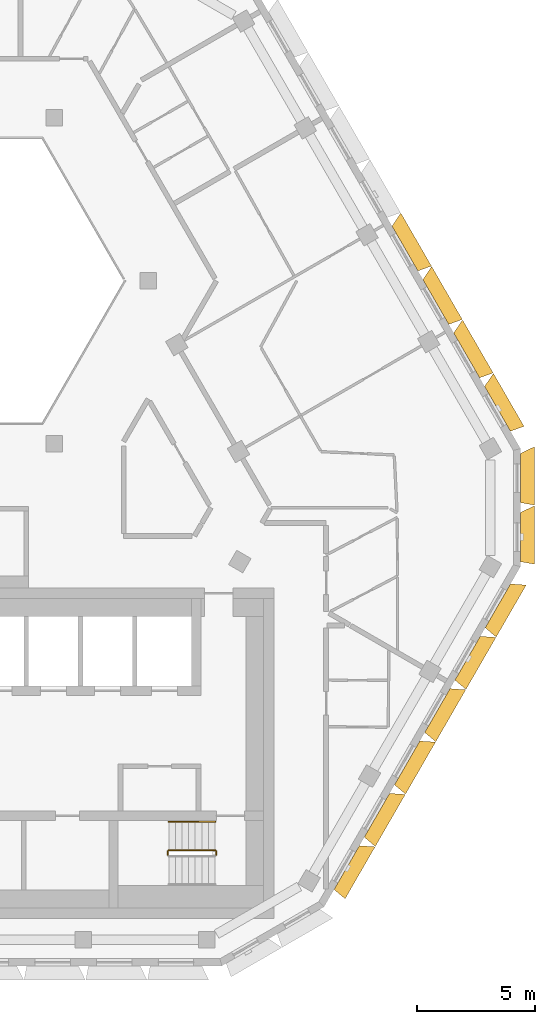
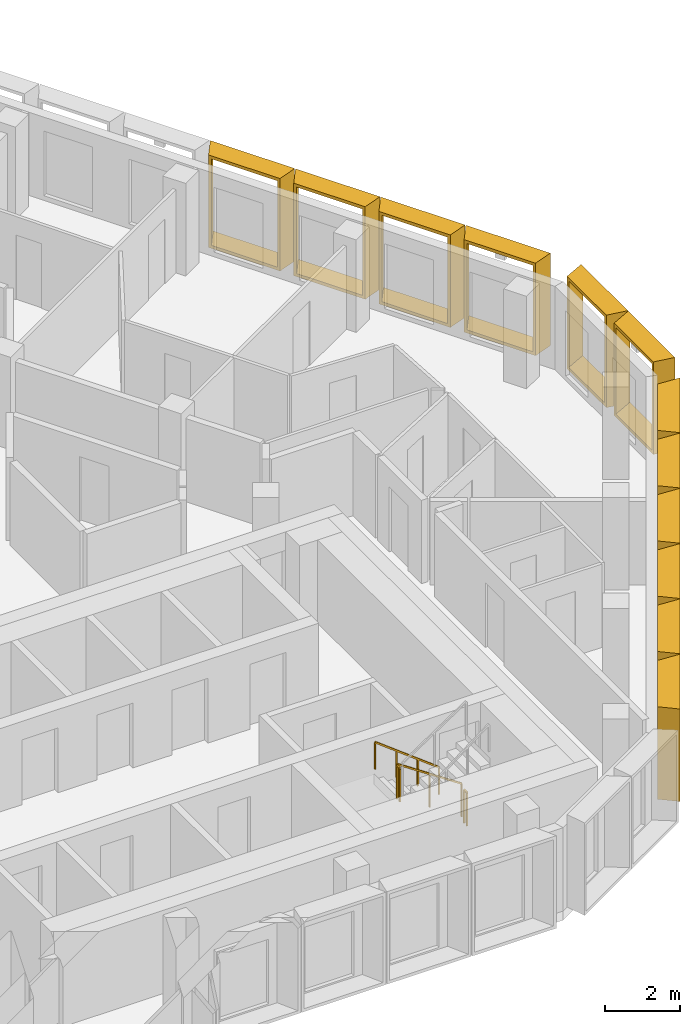
# One storey, part 15 of 16: 12 shading devices, 4 railings.
"""IFC4 building model written with IfcOpenShell, lengths in metres."""

from ifc_helpers import new_model, entity, si_unit, direction, frame, origin, origin_2d, place, context, subcontext, project, spatial, rectangle, extrude, source, transform, mapped, material, type_object, type_shapes, element, save


model = new_model("IFC4")

# Units and contexts
model_context = context("Model", 3, precision=1e-05, world=origin(), true_north=direction((0.0, 1.0)))
body_context = subcontext(model_context, "Body", "Model", "MODEL_VIEW")
ifc_project = project(units=[si_unit("LENGTHUNIT", "METRE"), si_unit("AREAUNIT", "SQUARE_METRE"), si_unit("VOLUMEUNIT", "CUBIC_METRE"), si_unit("PLANEANGLEUNIT", "RADIAN"), si_unit("MASSUNIT", "GRAM", prefix="KILO")], contexts=[model_context])

# Site, building, storey
site_placement = place(None, origin())
site = spatial("IfcSite", under=ifc_project, at=site_placement, CompositionType="ELEMENT")
building_placement = place(site_placement, origin())
building = spatial("IfcBuilding", under=site, at=building_placement, Name="Beryl Residences", CompositionType="ELEMENT")
storey_placement = place(building_placement, frame((0.0, 0.0, 220.800048828125)))
storey = spatial("IfcBuildingStorey", under=building, at=storey_placement, Name="L68", CompositionType="ELEMENT", Elevation=220.800048828125)

# Shading devices
ifc_material_1 = material(Name="Aluminium pale anodised", Category="aluminium")
shading_device_type_1 = type_object("IfcShadingDeviceType", Name="FR250-60C OUTER SKIN frame 600 mm deep, splay 10/26 deg, 2500 x 3000 mm cell", PredefinedType="USERDEFINED", material=ifc_material_1)
cartesian_point_1 = entity("IfcCartesianPoint", [-1.04052734375, 0.0])
cartesian_point_2 = entity("IfcCartesianPoint", [-0.959228515625, 0.10009765625])
cartesian_point_3 = entity("IfcCartesianPoint", [-1.146240234375, 0.0])
cartesian_point_4 = entity("IfcCartesianPoint", [-1.06494140625, 0.10009765625])
shared_shape_1 = source(origin(), body_context, "Body", "SweptSolid", [
    entity("IfcExtrudedAreaSolidTapered", entity("IfcArbitraryProfileDefWithVoids", "AREA", None, entity("IfcPolyline", [cartesian_point_1, entity("IfcCartesianPoint", [1.04052734375, 0.0]), entity("IfcCartesianPoint", [1.04052734375, 3.0]), entity("IfcCartesianPoint", [-1.04052734375, 3.0]), cartesian_point_1]), [entity("IfcPolyline", [cartesian_point_2, entity("IfcCartesianPoint", [0.951416015625, 0.10009765625]), entity("IfcCartesianPoint", [0.951416015625, 2.89990234375]), entity("IfcCartesianPoint", [-0.959228515625, 2.89990234375]), cartesian_point_2])]), entity("IfcAxis2Placement3D", entity("IfcCartesianPoint", [0.0, 0.0, 0.0]), entity("IfcDirection", [0.0, 1.0, 0.0]), entity("IfcDirection", [-1.0, 0.0, 0.0])), entity("IfcDirection", [0.0, 0.0, 1.0]), 0.60009765625, entity("IfcArbitraryProfileDefWithVoids", "AREA", None, entity("IfcPolyline", [cartesian_point_3, entity("IfcCartesianPoint", [1.333251953125, 0.0]), entity("IfcCartesianPoint", [1.333251953125, 3.0]), entity("IfcCartesianPoint", [-1.146240234375, 3.0]), cartesian_point_3]), [entity("IfcPolyline", [cartesian_point_4, entity("IfcCartesianPoint", [1.244140625, 0.10009765625]), entity("IfcCartesianPoint", [1.244140625, 2.89990234375]), entity("IfcCartesianPoint", [-1.06494140625, 2.89990234375]), cartesian_point_4])])),
])
type_shapes(shading_device_type_1, [shared_shape_1])
for number, where, z_axis, x_axis, name in (
    (1, (23.72900390625, -2.85009765625, 0.0), (0.0, 0.0, 1.0), (0.0, -1.0, 0.0), "FR250-60C frame L68 SE-NE 1"),
    (2, (23.72900390625, -0.35009765625, 0.0), (0.0, 0.0, 1.0), (0.0, -1.0, 0.0), "FR250-60C frame L68 SE-NE 2"),
):
    element("IfcShadingDevice", number, at=place(storey_placement, frame(where, z_axis=z_axis, x_axis=x_axis)), inside=storey, type_object=shading_device_type_1, Name=name, ObjectType="OUTER SKIN", PredefinedType="USERDEFINED", context=body_context, shape_type="MappedRepresentation", body=[
        mapped(shared_shape_1, transform((0.0, 0.0, 0.0))),
    ])
ifc_material_2 = material(Name="Aluminium pale anodised", Category="aluminium")
shading_device_type_2 = type_object("IfcShadingDeviceType", Name="FR256-60C OUTER SKIN frame 600 mm deep, splay 10/26 deg, 2560 x 3000 mm cell", PredefinedType="USERDEFINED", material=ifc_material_2)
cartesian_point_5 = entity("IfcCartesianPoint", [-1.070556640625, 0.0])
cartesian_point_6 = entity("IfcCartesianPoint", [-0.9892578125, 0.10009765625])
cartesian_point_7 = entity("IfcCartesianPoint", [-1.17626953125, 0.0])
cartesian_point_8 = entity("IfcCartesianPoint", [-1.094970703125, 0.10009765625])
shared_shape_2 = source(origin(), body_context, "Body", "SweptSolid", [
    entity("IfcExtrudedAreaSolidTapered", entity("IfcArbitraryProfileDefWithVoids", "AREA", None, entity("IfcPolyline", [cartesian_point_5, entity("IfcCartesianPoint", [1.070556640625, 0.0]), entity("IfcCartesianPoint", [1.070556640625, 3.0]), entity("IfcCartesianPoint", [-1.070556640625, 3.0]), cartesian_point_5]), [entity("IfcPolyline", [cartesian_point_6, entity("IfcCartesianPoint", [0.9814453125, 0.10009765625]), entity("IfcCartesianPoint", [0.9814453125, 2.89990234375]), entity("IfcCartesianPoint", [-0.9892578125, 2.89990234375]), cartesian_point_6])]), entity("IfcAxis2Placement3D", entity("IfcCartesianPoint", [0.0, 0.0, 0.0]), entity("IfcDirection", [0.0, 1.0, 0.0]), entity("IfcDirection", [-1.0, 0.0, 0.0])), entity("IfcDirection", [0.0, 0.0, 1.0]), 0.60009765625, entity("IfcArbitraryProfileDefWithVoids", "AREA", None, entity("IfcPolyline", [cartesian_point_7, entity("IfcCartesianPoint", [1.363037109375, 0.0]), entity("IfcCartesianPoint", [1.363037109375, 3.0]), entity("IfcCartesianPoint", [-1.17626953125, 3.0]), cartesian_point_7]), [entity("IfcPolyline", [cartesian_point_8, entity("IfcCartesianPoint", [1.274169921875, 0.10009765625]), entity("IfcCartesianPoint", [1.274169921875, 2.89990234375]), entity("IfcCartesianPoint", [-1.094970703125, 2.89990234375]), cartesian_point_8])])),
])
type_shapes(shading_device_type_2, [shared_shape_2])
for number, where, z_axis, x_axis, name in (
    (3, (16.373046875, -16.842041015625, 0.0), (0.0, 0.0, 1.0), (-0.5, -0.866025403784, 0.0), "FR256-60C frame L68 SE 1"),
    (4, (17.652099609375, -14.625, 0.0), (0.0, 0.0, 1.0), (-0.5, -0.866025403784, 0.0), "FR256-60C frame L68 SE 2"),
    (5, (18.931884765625, -12.408935546875, 0.0), (0.0, 0.0, 1.0), (-0.5, -0.866025403784, 0.0), "FR256-60C frame L68 SE 3"),
    (6, (20.2119140625, -10.19189453125, 0.0), (0.0, 0.0, 1.0), (-0.5, -0.866025403784, 0.0), "FR256-60C frame L68 SE 4"),
    (7, (21.490966796875, -7.97607421875, 0.0), (0.0, 0.0, 1.0), (-0.5, -0.866025403784, 0.0), "FR256-60C frame L68 SE 5"),
    (8, (22.77099609375, -5.759033203125, 0.0), (0.0, 0.0, 1.0), (-0.5, -0.866025403784, 0.0), "FR256-60C frame L68 SE 6"),
):
    element("IfcShadingDevice", number, at=place(storey_placement, frame(where, z_axis=z_axis, x_axis=x_axis)), inside=storey, type_object=shading_device_type_2, Name=name, ObjectType="OUTER SKIN", PredefinedType="USERDEFINED", context=body_context, shape_type="MappedRepresentation", body=[
        mapped(shared_shape_2, transform((0.0, 0.0, 0.0))),
    ])
ifc_material_3 = material(Name="Aluminium pale anodised", Category="aluminium")
shading_device_type_3 = type_object("IfcShadingDeviceType", Name="FR261-60C OUTER SKIN frame 600 mm deep, splay 10/26 deg, 2610 x 3000 mm cell", PredefinedType="USERDEFINED", material=ifc_material_3)
cartesian_point_9 = entity("IfcCartesianPoint", [-1.095458984375, 0.0])
cartesian_point_10 = entity("IfcCartesianPoint", [-1.01416015625, 0.10009765625])
cartesian_point_11 = entity("IfcCartesianPoint", [-1.201416015625, 0.0])
cartesian_point_12 = entity("IfcCartesianPoint", [-1.1201171875, 0.10009765625])
shared_shape_3 = source(origin(), body_context, "Body", "SweptSolid", [
    entity("IfcExtrudedAreaSolidTapered", entity("IfcArbitraryProfileDefWithVoids", "AREA", None, entity("IfcPolyline", [cartesian_point_9, entity("IfcCartesianPoint", [1.095458984375, 0.0]), entity("IfcCartesianPoint", [1.095458984375, 3.0]), entity("IfcCartesianPoint", [-1.095458984375, 3.0]), cartesian_point_9]), [entity("IfcPolyline", [cartesian_point_10, entity("IfcCartesianPoint", [1.006591796875, 0.10009765625]), entity("IfcCartesianPoint", [1.006591796875, 2.89990234375]), entity("IfcCartesianPoint", [-1.01416015625, 2.89990234375]), cartesian_point_10])]), entity("IfcAxis2Placement3D", entity("IfcCartesianPoint", [0.0, 0.0, 0.0]), entity("IfcDirection", [0.0, 1.0, 0.0]), entity("IfcDirection", [-1.0, 0.0, 0.0])), entity("IfcDirection", [0.0, 0.0, 1.0]), 0.60009765625, entity("IfcArbitraryProfileDefWithVoids", "AREA", None, entity("IfcPolyline", [cartesian_point_11, entity("IfcCartesianPoint", [1.38818359375, 0.0]), entity("IfcCartesianPoint", [1.38818359375, 3.0]), entity("IfcCartesianPoint", [-1.201416015625, 3.0]), cartesian_point_11]), [entity("IfcPolyline", [cartesian_point_12, entity("IfcCartesianPoint", [1.299072265625, 0.10009765625]), entity("IfcCartesianPoint", [1.299072265625, 2.89990234375]), entity("IfcCartesianPoint", [-1.1201171875, 2.89990234375]), cartesian_point_12])])),
])
type_shapes(shading_device_type_3, [shared_shape_3])
for number, where, z_axis, x_axis, name in (
    (9, (22.758056640625, 2.5810546875, 0.0), (0.0, 0.0, 1.0), (0.5, -0.866025403784, 0.0), "FR261-60C frame L68 NE 1"),
    (10, (21.450927734375, 4.843994140625, 0.0), (0.0, 0.0, 1.0), (0.5, -0.866025403784, 0.0), "FR261-60C frame L68 NE 2"),
    (11, (20.14501953125, 7.10595703125, 0.0), (0.0, 0.0, 1.0), (0.5, -0.866025403784, 0.0), "FR261-60C frame L68 NE 3"),
    (12, (18.839111328125, 9.368896484375, 0.0), (0.0, 0.0, 1.0), (0.5, -0.866025403784, 0.0), "FR261-60C frame L68 NE 4"),
):
    element("IfcShadingDevice", number, at=place(storey_placement, frame(where, z_axis=z_axis, x_axis=x_axis)), inside=storey, type_object=shading_device_type_3, Name=name, ObjectType="OUTER SKIN", PredefinedType="USERDEFINED", context=body_context, shape_type="MappedRepresentation", body=[
        mapped(shared_shape_3, transform((0.0, 0.0, 0.0))),
    ])

# Railings
ifc_material_4 = material(Name="Stainless steel balustrade with glass infill", Category="steel")
railing_type_1 = type_object("IfcRailingType", Name="SG1 stair guard 1100 mm", PredefinedType="GUARDRAIL", material=ifc_material_4)
railing_1_placement = place(storey_placement, frame((10.800048828125, -16.10009765625, 0.1875)))
element("IfcRailing", 13, at=railing_1_placement, inside=storey, type_object=railing_type_1, Name="L68 ST-3 stair guard 1", PredefinedType="GUARDRAIL", context=body_context, shape_type="SweptSolid", body=[
    extrude(rectangle(XDim=0.048095703125, YDim=0.048095703125, at=origin_2d()), frame((0.0, 0.0, 1.076171875), z_axis=(-0.830902050051, 0.0, 0.556418712142), x_axis=(0.0, -1.0, 0.0)), (0.0, 0.0, 1.0), 2.35888671875),
    extrude(rectangle(XDim=0.0419921875, YDim=0.0419921875, at=origin_2d()), origin(), (0.0, 0.0, 1.0), 1.052001953125),
    extrude(rectangle(XDim=0.0419921875, YDim=0.0419921875, at=origin_2d()), frame((-0.97998046875, 0.0, 0.65625)), (0.0, 0.0, 1.0), 1.052001953125),
    extrude(rectangle(XDim=0.0419921875, YDim=0.0419921875, at=origin_2d()), frame((-1.9599609375, 0.0, 1.3125)), (0.0, 0.0, 1.0), 1.052001953125),
])
for number, where, name in (
    (14, (8.7900390625, -16.14990234375, 1.5), "L68 ST-3 stair guard 2"),
    (15, (10.85009765625, -16.14990234375, 0.0), "L68 ST-3 stair guard 4"),
):
    element("IfcRailing", number, at=place(storey_placement, frame(where)), inside=storey, type_object=railing_type_1, Name=name, PredefinedType="GUARDRAIL", context=body_context, shape_type="SweptSolid", body=[
        extrude(rectangle(XDim=0.048095703125, YDim=0.048095703125, at=origin_2d()), frame((0.0, 0.0, 1.076171875), z_axis=(0.0, -1.0, 0.0), x_axis=(1.0, 0.0, 0.0)), (0.0, 0.0, 1.0), 0.150146484375),
        extrude(rectangle(XDim=0.0419921875, YDim=0.0419921875, at=origin_2d()), origin(), (0.0, 0.0, 1.0), 1.052001953125),
        extrude(rectangle(XDim=0.0419921875, YDim=0.0419921875, at=origin_2d()), frame((0.0, -0.150146484375, 0.0)), (0.0, 0.0, 1.0), 1.052001953125),
    ])
ifc_material_5 = material(Name="Stainless steel handrail", Category="steel")
railing_type_2 = type_object("IfcRailingType", Name="SRL1 stair handrail 900 mm", PredefinedType="HANDRAIL", material=ifc_material_5)
railing_2_placement = place(storey_placement, frame((10.800048828125, -14.89990234375, 0.1875)))
element("IfcRailing", 16, at=railing_2_placement, inside=storey, type_object=railing_type_2, Name="L68 ST-3 stair handrail 1", PredefinedType="HANDRAIL", context=body_context, shape_type="SweptSolid", body=[
    extrude(rectangle(XDim=0.048095703125, YDim=0.048095703125, at=origin_2d()), frame((0.0, 0.0, 0.8759765625), z_axis=(-0.794121922505, 0.0, 0.607758481798), x_axis=(0.0, -1.0, 0.0)), (0.0, 0.0, 1.0), 2.468017578125),
    extrude(rectangle(XDim=0.0419921875, YDim=0.0419921875, at=origin_2d()), origin(), (0.0, 0.0, 1.0), 0.851806640625),
    extrude(rectangle(XDim=0.0419921875, YDim=0.0419921875, at=origin_2d()), frame((-0.6533203125, 0.0, 0.5)), (0.0, 0.0, 1.0), 0.851806640625),
    extrude(rectangle(XDim=0.0419921875, YDim=0.0419921875, at=origin_2d()), frame((-1.306640625, 0.0, 1.0)), (0.0, 0.0, 1.0), 0.851806640625),
    extrude(rectangle(XDim=0.0419921875, YDim=0.0419921875, at=origin_2d()), frame((-1.9599609375, 0.0, 1.5)), (0.0, 0.0, 1.0), 0.851806640625),
])

save(model, "model.ifc")
